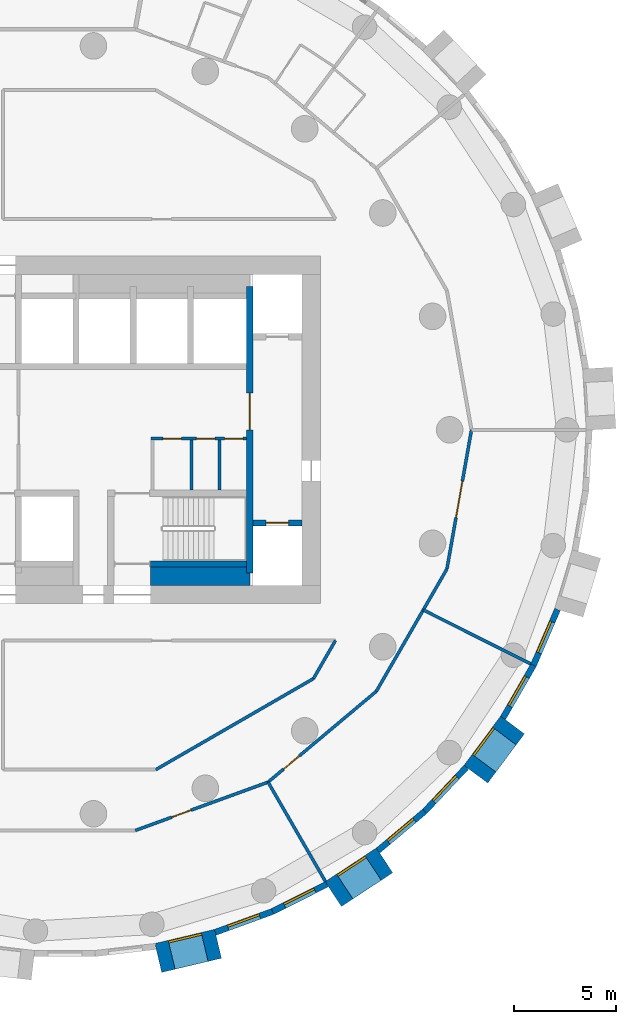
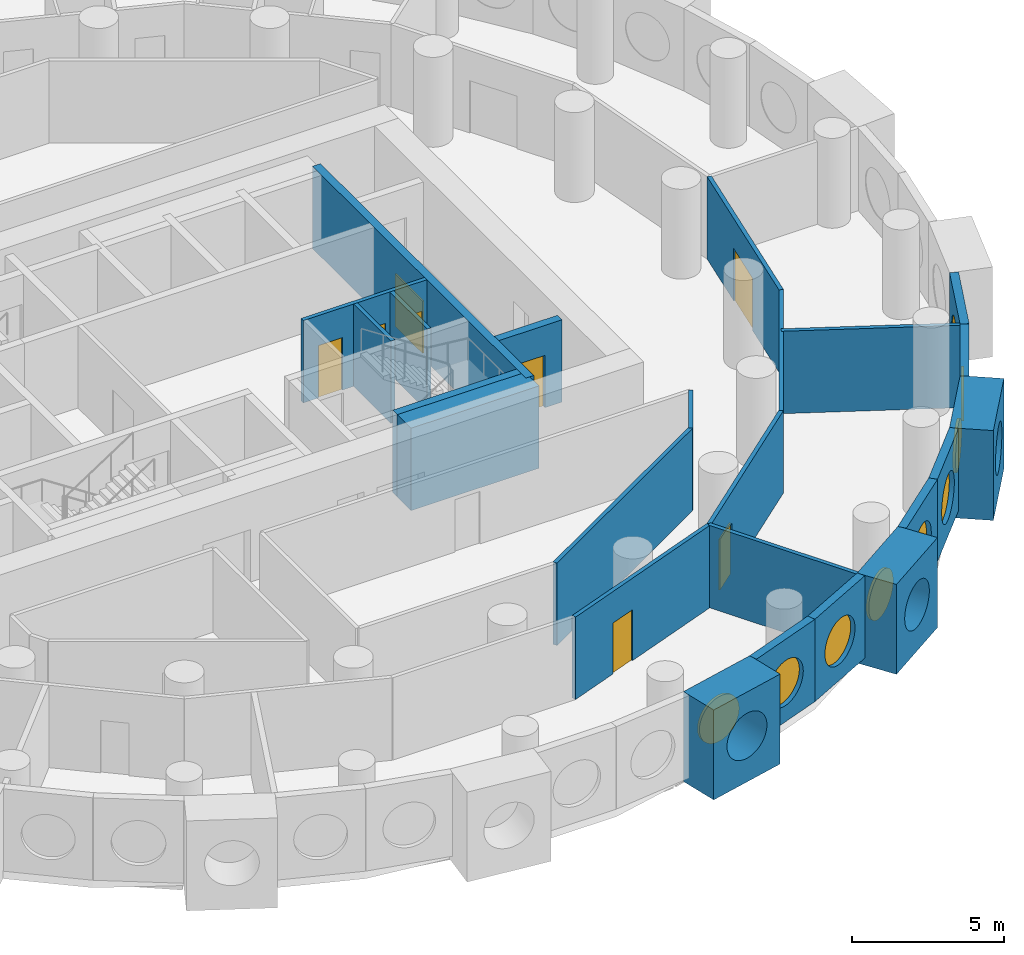
# One storey, part 4 of 9: 24 walls, 9 windows, 8 doors, 17 openings.
"""IFC4 building model written with IfcOpenShell, lengths in metres."""

from ifc_helpers import new_model, si_unit, direction, frame, frame_2d, origin, origin_2d, place, context, subcontext, project, spatial, rectangle, circle, extrude, material, layer, layer_set, type_object, element, fill, save


model = new_model("IFC4")

# Units and contexts
model_context = context("Model", 3, precision=1e-05, world=origin(), true_north=direction((0.0, 1.0)))
body_context = subcontext(model_context, "Body", "Model", "MODEL_VIEW")
ifc_project = project(units=[si_unit("LENGTHUNIT", "METRE"), si_unit("AREAUNIT", "SQUARE_METRE"), si_unit("VOLUMEUNIT", "CUBIC_METRE"), si_unit("PLANEANGLEUNIT", "RADIAN"), si_unit("MASSUNIT", "GRAM", prefix="KILO")], contexts=[model_context])

# Site, building, storey
site_placement = place(None, origin())
site = spatial("IfcSite", under=ifc_project, at=site_placement, CompositionType="ELEMENT")
building_placement = place(site_placement, origin())
building = spatial("IfcBuilding", under=site, at=building_placement, Name="Tracery Tower", CompositionType="ELEMENT")
storey_placement = place(building_placement, frame((0.0, 0.0, 151.199951171875)))
storey = spatial("IfcBuildingStorey", under=building, at=storey_placement, Name="L38", CompositionType="ELEMENT", Elevation=151.199951171875)

# Wall, openings, doors
ifc_material_1 = material(Name="Plasterboard on steel studs", Category="steel")
ifc_layer_1 = layer(ifc_material_1, 0.14990234375)
ifc_layer_set_1 = layer_set([ifc_layer_1], Name="Core room partition 150")
wall_type_1 = type_object("IfcWallType", Name="Core room partition 150", PredefinedType="SOLIDWALL", material=ifc_layer_set_1)
wall_1_placement = place(storey_placement, frame((4.22509765625, -0.425048828125, 0.0), z_axis=(0.0, 0.0, 1.0), x_axis=(1.0, 0.0, 0.0)))
wall_1 = element("IfcWall", 1, at=wall_1_placement, inside=storey, type_object=wall_type_1, Name="L38 slot N", PredefinedType="SOLIDWALL", context=body_context, shape_type="SweptSolid", body=[
    extrude(rectangle(XDim=4.6748046875, YDim=0.14990234375, at=frame_2d((2.33740234375, 0.0))), origin(), (0.0, 0.0, 1.0), 3.300048828125),
])
opening_1_placement = place(wall_1_placement, frame((0.574951171875, 0.0, 0.0)))
opening_1 = element("IfcOpeningElement", 2, at=opening_1_placement, cuts=wall_1, Name="Opening KD22", PredefinedType="OPENING", context=body_context, shape_type="SweptSolid", body=[
    extrude(rectangle(XDim=0.89990234375, YDim=2.10009765625, at=frame_2d((0.449951171875, 1.050048828125))), frame((0.0, 0.074951171875, 0.0), z_axis=(0.0, -1.0, 0.0), x_axis=(1.0, 0.0, 0.0)), (0.0, 0.0, 1.0), 0.14990234375),
])
opening_2_placement = place(wall_1_placement, frame((2.21240234375, 0.0, 0.0)))
opening_2 = element("IfcOpeningElement", 3, at=opening_2_placement, cuts=wall_1, Name="Opening KD26", PredefinedType="OPENING", context=body_context, shape_type="SweptSolid", body=[
    extrude(rectangle(XDim=0.89990234375, YDim=2.10009765625, at=frame_2d((0.449951171875, 1.050048828125))), frame((0.0, 0.074951171875, 0.0), z_axis=(0.0, -1.0, 0.0), x_axis=(1.0, 0.0, 0.0)), (0.0, 0.0, 1.0), 0.14990234375),
])
opening_3_placement = place(wall_1_placement, frame((3.60009765625, 0.0, 0.0)))
opening_3 = element("IfcOpeningElement", 4, at=opening_3_placement, cuts=wall_1, Name="Opening KD27", PredefinedType="OPENING", context=body_context, shape_type="SweptSolid", body=[
    extrude(rectangle(XDim=0.89990234375, YDim=2.10009765625, at=frame_2d((0.449951171875, 1.050048828125))), frame((0.0, 0.074951171875, 0.0), z_axis=(0.0, -1.0, 0.0), x_axis=(1.0, 0.0, 0.0)), (0.0, 0.0, 1.0), 0.14990234375),
])
ifc_material_2 = material(Name="Timber door leaf", Category="wood")
door_type_1 = type_object("IfcDoorType", Name="Core WC door 900", OperationType="NOTDEFINED", PredefinedType="DOOR", material=ifc_material_2)
door_1_placement = place(opening_1_placement, origin())
door_1 = element("IfcDoor", 5, at=door_1_placement, inside=storey, type_object=door_type_1, Name="Core door", OperationType="SINGLE_SWING_RIGHT", OverallHeight=2.10009765625, OverallWidth=0.89990234375, PredefinedType="DOOR", context=body_context, shape_type="SweptSolid", body=[
    extrude(rectangle(XDim=0.89990234375, YDim=2.10009765625, at=frame_2d((0.449951171875, 1.050048828125))), frame((0.0, 0.02490234375, 0.0), z_axis=(0.0, -1.0, 0.0), x_axis=(1.0, 0.0, 0.0)), (0.0, 0.0, 1.0), 0.050048828125),
])
fill(opening_1, door_1)
ifc_material_3 = material(Name="Timber door leaf", Category="wood")
door_type_2 = type_object("IfcDoorType", Name="Core store door 900", OperationType="NOTDEFINED", PredefinedType="DOOR", material=ifc_material_3)
door_2_placement = place(opening_2_placement, origin())
door_2 = element("IfcDoor", 6, at=door_2_placement, inside=storey, type_object=door_type_2, Name="Core door", OperationType="SINGLE_SWING_LEFT", OverallHeight=2.10009765625, OverallWidth=0.89990234375, PredefinedType="DOOR", context=body_context, shape_type="SweptSolid", body=[
    extrude(rectangle(XDim=0.89990234375, YDim=2.10009765625, at=frame_2d((0.449951171875, 1.050048828125))), frame((0.0, 0.02490234375, 0.0), z_axis=(0.0, -1.0, 0.0), x_axis=(1.0, 0.0, 0.0)), (0.0, 0.0, 1.0), 0.050048828125),
])
fill(opening_2, door_2)
door_3_placement = place(opening_3_placement, origin())
door_3 = element("IfcDoor", 7, at=door_3_placement, inside=storey, type_object=door_type_2, Name="Core door", OperationType="SINGLE_SWING_RIGHT", OverallHeight=2.10009765625, OverallWidth=0.89990234375, PredefinedType="DOOR", context=body_context, shape_type="SweptSolid", body=[
    extrude(rectangle(XDim=0.89990234375, YDim=2.10009765625, at=frame_2d((0.449951171875, 1.050048828125))), frame((0.0, 0.02490234375, 0.0), z_axis=(0.0, -1.0, 0.0), x_axis=(1.0, 0.0, 0.0)), (0.0, 0.0, 1.0), 0.050048828125),
])
fill(opening_3, door_3)

# Walls
for number, where, z_axis, x_axis, name in (
    (8, (6.199951171875, -2.949951171875, 0.0), (0.0, 0.0, 1.0), (0.0, 1.0, 0.0), "L38 slot sep 1"),
    (9, (7.574951171875, -2.949951171875, 0.0), (0.0, 0.0, 1.0), (0.0, 1.0, 0.0), "L38 slot sep 2"),
):
    element("IfcWall", number, at=place(storey_placement, frame(where, z_axis=z_axis, x_axis=x_axis)), inside=storey, type_object=wall_type_1, Name=name, PredefinedType="SOLIDWALL", context=body_context, shape_type="SweptSolid", body=[
        extrude(rectangle(XDim=2.449951171875, YDim=0.14990234375, at=frame_2d((1.22509765625, 0.0))), origin(), (0.0, 0.0, 1.0), 3.300048828125),
    ])
ifc_material_4 = material(Name="Concrete C50/60", Category="concrete")
ifc_layer_2 = layer(ifc_material_4, 0.89990234375)
ifc_layer_set_2 = layer_set([ifc_layer_2], Name="Core strip wall 900 C50")
wall_type_2 = type_object("IfcWallType", Name="Core strip wall 900 C50", PredefinedType="SOLIDWALL", material=ifc_layer_set_2)
wall_2_placement = place(storey_placement, frame((4.199951171875, -7.14990234375, 0.0), z_axis=(0.0, 0.0, 1.0), x_axis=(1.0, 0.0, 0.0)))
element("IfcWall", 10, at=wall_2_placement, inside=storey, type_object=wall_type_2, Name="L38 F thick S E", PredefinedType="SOLIDWALL", context=body_context, shape_type="SweptSolid", body=[
    extrude(rectangle(XDim=4.85009765625, YDim=0.89990234375, at=frame_2d((2.425048828125, 0.0))), origin(), (0.0, 0.0, 1.0), 3.300048828125),
])

# Wall, opening, window
ifc_material_5 = material(Name="Precast concrete C50/60", Category="concrete")
ifc_layer_3 = layer(ifc_material_5, 1.449951171875)
ifc_layer_set_3 = layer_set([ifc_layer_3], Name="Deep-set bay unit 3000 x 3600, slab edge 300")
wall_type_3 = type_object("IfcWallType", Name="Deep-set bay unit 3000 x 3600, slab edge 300", PredefinedType="ELEMENTEDWALL", material=ifc_layer_set_3)
wall_3_placement = place(storey_placement, frame((4.57763671875, -25.8193359375, -0.300048828125), z_axis=(0.0, 0.0, 1.0), x_axis=(0.973042333261, 0.23062657627, 0.0)))
wall_3 = element("IfcWall", 11, at=wall_3_placement, inside=storey, type_object=wall_type_3, Name="Deep-set bay unit 43 at L38", PredefinedType="ELEMENTEDWALL", context=body_context, shape_type="SweptSolid", body=[
    extrude(rectangle(XDim=3.0, YDim=1.449951171875, at=frame_2d((1.5, 0.0))), origin(), (0.0, 0.0, 1.0), 3.60009765625),
])
opening_4_placement = place(wall_3_placement, frame((1.5, 0.0, 1.85009765625)))
opening_4 = element("IfcOpeningElement", 12, at=opening_4_placement, cuts=wall_3, Name="Opening WN1", PredefinedType="OPENING", context=body_context, shape_type="SweptSolid", body=[
    extrude(circle(Radius=0.9000244140625, at=origin_2d()), frame((0.0, 0.73486328125, 0.0), z_axis=(0.0, -1.0, 0.0), x_axis=(1.0, 0.0, 0.0)), (0.0, 0.0, 1.0), 1.469970703125),
])
ifc_material_6 = material(Name="Aluminium frame with tinted double glazing", Category="aluminium")
window_type = type_object("IfcWindowType", Name="Round window 1800", PartitioningType="SINGLE_PANEL", PredefinedType="WINDOW", material=ifc_material_6)
window_1_placement = place(opening_4_placement, origin())
window_1 = element("IfcWindow", 13, at=window_1_placement, inside=storey, type_object=window_type, Name="Round window 43 at L38", OverallHeight=1.800048828125, OverallWidth=1.800048828125, PartitioningType="SINGLE_PANEL", PredefinedType="WINDOW", context=body_context, shape_type="SweptSolid", body=[
    extrude(circle(Radius=0.9000244140625, at=origin_2d()), frame((0.0, 0.69482421875, 0.0), z_axis=(0.0, -1.0, 0.0), x_axis=(1.0, 0.0, 0.0)), (0.0, 0.0, 1.0), 0.10009765625),
])
fill(opening_4, window_1)

wall_4_placement = place(storey_placement, frame((13.13232421875, -22.696533203125, -0.300048828125), z_axis=(0.0, 0.0, 1.0), x_axis=(0.835514416706, 0.549468524554, 0.0)))
wall_4 = element("IfcWall", 14, at=wall_4_placement, inside=storey, type_object=wall_type_3, Name="Deep-set bay unit 46 at L38", PredefinedType="ELEMENTEDWALL", context=body_context, shape_type="SweptSolid", body=[
    extrude(rectangle(XDim=3.0, YDim=1.449951171875, at=frame_2d((1.5, 0.0))), origin(), (0.0, 0.0, 1.0), 3.60009765625),
])
opening_5_placement = place(wall_4_placement, frame((1.5, 0.0, 1.85009765625)))
opening_5 = element("IfcOpeningElement", 15, at=opening_5_placement, cuts=wall_4, Name="Opening WN1", PredefinedType="OPENING", context=body_context, shape_type="SweptSolid", body=[
    extrude(circle(Radius=0.9000244140625, at=origin_2d()), frame((0.0, 0.73486328125, 0.0), z_axis=(0.0, -1.0, 0.0), x_axis=(1.0, 0.0, 0.0)), (0.0, 0.0, 1.0), 1.469970703125),
])
window_2_placement = place(opening_5_placement, origin())
window_2 = element("IfcWindow", 16, at=window_2_placement, inside=storey, type_object=window_type, Name="Round window 46 at L38", OverallHeight=1.800048828125, OverallWidth=1.800048828125, PartitioningType="SINGLE_PANEL", PredefinedType="WINDOW", context=body_context, shape_type="SweptSolid", body=[
    extrude(circle(Radius=0.9000244140625, at=origin_2d()), frame((0.0, 0.69482421875, 0.0), z_axis=(0.0, -1.0, 0.0), x_axis=(1.0, 0.0, 0.0)), (0.0, 0.0, 1.0), 0.10009765625),
])
fill(opening_5, window_2)

wall_5_placement = place(storey_placement, frame((20.10302734375, -16.836181640625, -0.300048828125), z_axis=(0.0, 0.0, 1.0), x_axis=(0.597183717734, 0.802104486506, 0.0)))
wall_5 = element("IfcWall", 17, at=wall_5_placement, inside=storey, type_object=wall_type_3, Name="Deep-set bay unit 49 at L38", PredefinedType="ELEMENTEDWALL", context=body_context, shape_type="SweptSolid", body=[
    extrude(rectangle(XDim=3.0, YDim=1.449951171875, at=frame_2d((1.5, 0.0))), origin(), (0.0, 0.0, 1.0), 3.60009765625),
])
opening_6_placement = place(wall_5_placement, frame((1.5, 0.0, 1.85009765625)))
opening_6 = element("IfcOpeningElement", 18, at=opening_6_placement, cuts=wall_5, Name="Opening WN1", PredefinedType="OPENING", context=body_context, shape_type="SweptSolid", body=[
    extrude(circle(Radius=0.9000244140625, at=origin_2d()), frame((0.0, 0.73486328125, 0.0), z_axis=(0.0, -1.0, 0.0), x_axis=(1.0, 0.0, 0.0)), (0.0, 0.0, 1.0), 1.469970703125),
])
window_3_placement = place(opening_6_placement, origin())
window_3 = element("IfcWindow", 19, at=window_3_placement, inside=storey, type_object=window_type, Name="Round window 49 at L38", OverallHeight=1.800048828125, OverallWidth=1.800048828125, PartitioningType="SINGLE_PANEL", PredefinedType="WINDOW", context=body_context, shape_type="SweptSolid", body=[
    extrude(circle(Radius=0.9000244140625, at=origin_2d()), frame((0.0, 0.69482421875, 0.0), z_axis=(0.0, -1.0, 0.0), x_axis=(1.0, 0.0, 0.0)), (0.0, 0.0, 1.0), 0.10009765625),
])
fill(opening_6, window_3)

ifc_material_7 = material(Name="Precast concrete C50/60", Category="concrete")
ifc_layer_4 = layer(ifc_material_7, 0.300048828125)
ifc_layer_set_4 = layer_set([ifc_layer_4], Name="Facade panel 3000 x 3300")
wall_type_4 = type_object("IfcWallType", Name="Facade panel 3000 x 3300", PredefinedType="SOLIDWALL", material=ifc_layer_set_4)
wall_6_placement = place(storey_placement, frame((7.36474609375, -24.566650390625, 0.0), z_axis=(0.0, 0.0, 1.0), x_axis=(0.939690282133, 0.342026568652, 0.0)))
wall_6 = element("IfcWall", 20, at=wall_6_placement, inside=storey, type_object=wall_type_4, Name="Facade panel 44 at L38", PredefinedType="SOLIDWALL", context=body_context, shape_type="SweptSolid", body=[
    extrude(rectangle(XDim=2.972900390625, YDim=0.300048828125, at=frame_2d((1.486328125, 0.0))), origin(), (0.0, 0.0, 1.0), 3.300048828125),
])
opening_7_placement = place(wall_6_placement, frame((1.486328125, 0.0, 1.5498046875)))
opening_7 = element("IfcOpeningElement", 21, at=opening_7_placement, cuts=wall_6, Name="Opening WN1", PredefinedType="OPENING", context=body_context, shape_type="SweptSolid", body=[
    extrude(circle(Radius=0.9000244140625, at=origin_2d()), frame((0.0, 0.159912109375, 0.0), z_axis=(0.0, -1.0, 0.0), x_axis=(1.0, 0.0, 0.0)), (0.0, 0.0, 1.0), 0.320068359375),
])
window_4_placement = place(opening_7_placement, origin())
window_4 = element("IfcWindow", 22, at=window_4_placement, inside=storey, type_object=window_type, Name="Round window 44 at L38", OverallHeight=1.800048828125, OverallWidth=1.800048828125, PartitioningType="SINGLE_PANEL", PredefinedType="WINDOW", context=body_context, shape_type="SweptSolid", body=[
    extrude(circle(Radius=0.9000244140625, at=origin_2d()), frame((0.0, 0.1201171875, 0.0), z_axis=(0.0, -1.0, 0.0), x_axis=(1.0, 0.0, 0.0)), (0.0, 0.0, 1.0), 0.10009765625),
])
fill(opening_7, window_4)

wall_7_placement = place(storey_placement, frame((10.158447265625, -23.5498046875, 0.0), z_axis=(0.0, 0.0, 1.0), x_axis=(0.893637442555, 0.448789618045, 0.0)))
wall_7 = element("IfcWall", 23, at=wall_7_placement, inside=storey, type_object=wall_type_4, Name="Facade panel 45 at L38", PredefinedType="SOLIDWALL", context=body_context, shape_type="SweptSolid", body=[
    extrude(rectangle(XDim=2.972900390625, YDim=0.300048828125, at=frame_2d((1.486328125, 0.0))), origin(), (0.0, 0.0, 1.0), 3.300048828125),
])
opening_8_placement = place(wall_7_placement, frame((1.486328125, 0.0, 1.5498046875)))
opening_8 = element("IfcOpeningElement", 24, at=opening_8_placement, cuts=wall_7, Name="Opening WN1", PredefinedType="OPENING", context=body_context, shape_type="SweptSolid", body=[
    extrude(circle(Radius=0.9000244140625, at=origin_2d()), frame((0.0, 0.159912109375, 0.0), z_axis=(0.0, -1.0, 0.0), x_axis=(1.0, 0.0, 0.0)), (0.0, 0.0, 1.0), 0.320068359375),
])
window_5_placement = place(opening_8_placement, origin())
window_5 = element("IfcWindow", 25, at=window_5_placement, inside=storey, type_object=window_type, Name="Round window 45 at L38", OverallHeight=1.800048828125, OverallWidth=1.800048828125, PartitioningType="SINGLE_PANEL", PredefinedType="WINDOW", context=body_context, shape_type="SweptSolid", body=[
    extrude(circle(Radius=0.9000244140625, at=origin_2d()), frame((0.0, 0.1201171875, 0.0), z_axis=(0.0, -1.0, 0.0), x_axis=(1.0, 0.0, 0.0)), (0.0, 0.0, 1.0), 0.10009765625),
])
fill(opening_8, window_5)

wall_8_placement = place(storey_placement, frame((15.322998046875, -20.566162109375, 0.0), z_axis=(0.0, 0.0, 1.0), x_axis=(0.766049350637, 0.642781761089, 0.0)))
wall_8 = element("IfcWall", 26, at=wall_8_placement, inside=storey, type_object=wall_type_4, Name="Facade panel 47 at L38", PredefinedType="SOLIDWALL", context=body_context, shape_type="SweptSolid", body=[
    extrude(rectangle(XDim=2.972900390625, YDim=0.300048828125, at=frame_2d((1.486328125, 0.0))), origin(), (0.0, 0.0, 1.0), 3.300048828125),
])
opening_9_placement = place(wall_8_placement, frame((1.486328125, 0.0, 1.5498046875)))
opening_9 = element("IfcOpeningElement", 27, at=opening_9_placement, cuts=wall_8, Name="Opening WN1", PredefinedType="OPENING", context=body_context, shape_type="SweptSolid", body=[
    extrude(circle(Radius=0.9000244140625, at=origin_2d()), frame((0.0, 0.159912109375, 0.0), z_axis=(0.0, -1.0, 0.0), x_axis=(1.0, 0.0, 0.0)), (0.0, 0.0, 1.0), 0.320068359375),
])
window_6_placement = place(opening_9_placement, origin())
window_6 = element("IfcWindow", 28, at=window_6_placement, inside=storey, type_object=window_type, Name="Round window 47 at L38", OverallHeight=1.800048828125, OverallWidth=1.800048828125, PartitioningType="SINGLE_PANEL", PredefinedType="WINDOW", context=body_context, shape_type="SweptSolid", body=[
    extrude(circle(Radius=0.9000244140625, at=origin_2d()), frame((0.0, 0.1201171875, 0.0), z_axis=(0.0, -1.0, 0.0), x_axis=(1.0, 0.0, 0.0)), (0.0, 0.0, 1.0), 0.10009765625),
])
fill(opening_9, window_6)

wall_9_placement = place(storey_placement, frame((17.600341796875, -18.6552734375, 0.0), z_axis=(0.0, 0.0, 1.0), x_axis=(0.686235184166, 0.727379730273, 0.0)))
wall_9 = element("IfcWall", 29, at=wall_9_placement, inside=storey, type_object=wall_type_4, Name="Facade panel 48 at L38", PredefinedType="SOLIDWALL", context=body_context, shape_type="SweptSolid", body=[
    extrude(rectangle(XDim=2.972900390625, YDim=0.300048828125, at=frame_2d((1.486328125, 0.0))), origin(), (0.0, 0.0, 1.0), 3.300048828125),
])
opening_10_placement = place(wall_9_placement, frame((1.486328125, 0.0, 1.5498046875)))
opening_10 = element("IfcOpeningElement", 30, at=opening_10_placement, cuts=wall_9, Name="Opening WN1", PredefinedType="OPENING", context=body_context, shape_type="SweptSolid", body=[
    extrude(circle(Radius=0.9000244140625, at=origin_2d()), frame((0.0, 0.159912109375, 0.0), z_axis=(0.0, -1.0, 0.0), x_axis=(1.0, 0.0, 0.0)), (0.0, 0.0, 1.0), 0.320068359375),
])
window_7_placement = place(opening_10_placement, origin())
window_7 = element("IfcWindow", 31, at=window_7_placement, inside=storey, type_object=window_type, Name="Round window 48 at L38", OverallHeight=1.800048828125, OverallWidth=1.800048828125, PartitioningType="SINGLE_PANEL", PredefinedType="WINDOW", context=body_context, shape_type="SweptSolid", body=[
    extrude(circle(Radius=0.9000244140625, at=origin_2d()), frame((0.0, 0.1201171875, 0.0), z_axis=(0.0, -1.0, 0.0), x_axis=(1.0, 0.0, 0.0)), (0.0, 0.0, 1.0), 0.10009765625),
])
fill(opening_10, window_7)

wall_10_placement = place(storey_placement, frame((21.432861328125, -14.085205078125, 0.0), z_axis=(0.0, 0.0, 1.0), x_axis=(0.500016263033, 0.866016014115, 0.0)))
wall_10 = element("IfcWall", 32, at=wall_10_placement, inside=storey, type_object=wall_type_4, Name="Facade panel 50 at L38", PredefinedType="SOLIDWALL", context=body_context, shape_type="SweptSolid", body=[
    extrude(rectangle(XDim=2.97314453125, YDim=0.300048828125, at=frame_2d((1.486572265625, 0.0))), origin(), (0.0, 0.0, 1.0), 3.300048828125),
])
opening_11_placement = place(wall_10_placement, frame((1.486328125, 0.0, 1.5498046875)))
opening_11 = element("IfcOpeningElement", 33, at=opening_11_placement, cuts=wall_10, Name="Opening WN1", PredefinedType="OPENING", context=body_context, shape_type="SweptSolid", body=[
    extrude(circle(Radius=0.9000244140625, at=origin_2d()), frame((0.0, 0.159912109375, 0.0), z_axis=(0.0, -1.0, 0.0), x_axis=(1.0, 0.0, 0.0)), (0.0, 0.0, 1.0), 0.320068359375),
])
window_8_placement = place(opening_11_placement, origin())
window_8 = element("IfcWindow", 34, at=window_8_placement, inside=storey, type_object=window_type, Name="Round window 50 at L38", OverallHeight=1.800048828125, OverallWidth=1.800048828125, PartitioningType="SINGLE_PANEL", PredefinedType="WINDOW", context=body_context, shape_type="SweptSolid", body=[
    extrude(circle(Radius=0.9000244140625, at=origin_2d()), frame((0.0, 0.1201171875, 0.0), z_axis=(0.0, -1.0, 0.0), x_axis=(1.0, 0.0, 0.0)), (0.0, 0.0, 1.0), 0.10009765625),
])
fill(opening_11, window_8)

wall_11_placement = place(storey_placement, frame((22.91943359375, -11.510498046875, 0.0), z_axis=(0.0, 0.0, 1.0), x_axis=(0.396078892785, 0.918216483565, 0.0)))
wall_11 = element("IfcWall", 35, at=wall_11_placement, inside=storey, type_object=wall_type_4, Name="Facade panel 51 at L38", PredefinedType="SOLIDWALL", context=body_context, shape_type="SweptSolid", body=[
    extrude(rectangle(XDim=2.972900390625, YDim=0.300048828125, at=frame_2d((1.486328125, 0.0))), origin(), (0.0, 0.0, 1.0), 3.300048828125),
])
opening_12_placement = place(wall_11_placement, frame((1.486328125, 0.0, 1.5498046875)))
opening_12 = element("IfcOpeningElement", 36, at=opening_12_placement, cuts=wall_11, Name="Opening WN1", PredefinedType="OPENING", context=body_context, shape_type="SweptSolid", body=[
    extrude(circle(Radius=0.9000244140625, at=origin_2d()), frame((0.0, 0.159912109375, 0.0), z_axis=(0.0, -1.0, 0.0), x_axis=(1.0, 0.0, 0.0)), (0.0, 0.0, 1.0), 0.320068359375),
])
window_9_placement = place(opening_12_placement, origin())
window_9 = element("IfcWindow", 37, at=window_9_placement, inside=storey, type_object=window_type, Name="Round window 51 at L38", OverallHeight=1.800048828125, OverallWidth=1.800048828125, PartitioningType="SINGLE_PANEL", PredefinedType="WINDOW", context=body_context, shape_type="SweptSolid", body=[
    extrude(circle(Radius=0.9000244140625, at=origin_2d()), frame((0.0, 0.1201171875, 0.0), z_axis=(0.0, -1.0, 0.0), x_axis=(1.0, 0.0, 0.0)), (0.0, 0.0, 1.0), 0.10009765625),
])
fill(opening_12, window_9)

# Walls
ifc_material_8 = material(Name="Plasterboard on steel studs", Category="steel")
ifc_layer_5 = layer(ifc_material_8, 0.14990234375)
ifc_layer_set_5 = layer_set([ifc_layer_5], Name="Partition 150 acoustic unit wall")
wall_type_5 = type_object("IfcWallType", Name="Partition 150 acoustic unit wall", PredefinedType="PARTITIONING", material=ifc_layer_set_5)
wall_12_placement = place(storey_placement, frame((9.944091796875, -17.222900390625, 0.0), z_axis=(0.0, 0.0, 1.0), x_axis=(0.500010020406, -0.866019618423, 0.0)))
element("IfcWall", 38, at=wall_12_placement, inside=storey, type_object=wall_type_5, Name="Unit wall RB3-056", PredefinedType="PARTITIONING", context=body_context, shape_type="SweptSolid", body=[
    extrude(rectangle(XDim=5.60986328125, YDim=0.14990234375, at=frame_2d((2.804931640625, 0.0))), origin(), (0.0, 0.0, 1.0), 3.300048828125),
])
wall_13_placement = place(storey_placement, frame((17.531982421875, -8.804931640625, 0.0), z_axis=(0.0, 0.0, 1.0), x_axis=(0.893628331628, -0.448807759415, 0.0)))
element("IfcWall", 39, at=wall_13_placement, inside=storey, type_object=wall_type_5, Name="Unit wall RB3-057", PredefinedType="PARTITIONING", context=body_context, shape_type="SweptSolid", body=[
    extrude(rectangle(XDim=5.878173828125, YDim=0.14990234375, at=frame_2d((2.93896484375, 0.0))), origin(), (0.0, 0.0, 1.0), 3.300048828125),
])
ifc_material_9 = material(Name="Plasterboard on steel studs", Category="steel")
ifc_layer_6 = layer(ifc_material_9, 0.14990234375)
ifc_layer_set_6 = layer_set([ifc_layer_6], Name="Partition 150 corridor wall")
wall_type_6 = type_object("IfcWallType", Name="Partition 150 corridor wall", PredefinedType="PARTITIONING", material=ifc_layer_set_6)
wall_14_placement = place(storey_placement, frame((12.162109375, -12.162109375, 0.0), z_axis=(0.0, 0.0, 1.0), x_axis=(0.499961633463, 0.866047553582, 0.0)))
element("IfcWall", 40, at=wall_14_placement, inside=storey, type_object=wall_type_6, Name="Corridor wall RB3-006", PredefinedType="PARTITIONING", context=body_context, shape_type="SweptSolid", body=[
    extrude(rectangle(XDim=2.150146484375, YDim=0.14990234375, at=frame_2d((1.0751953125, 0.0))), origin(), (0.0, 0.0, 1.0), 3.300048828125),
])
wall_15_placement = place(storey_placement, frame((15.235107421875, -12.783935546875, 0.0), z_axis=(0.0, 0.0, 1.0), x_axis=(0.499914202267, 0.866074933462, 0.0)))
element("IfcWall", 41, at=wall_15_placement, inside=storey, type_object=wall_type_6, Name="Corridor wall RB3-010", PredefinedType="PARTITIONING", context=body_context, shape_type="SweptSolid", body=[
    extrude(rectangle(XDim=6.906982421875, YDim=0.14990234375, at=frame_2d((3.45361328125, 0.0))), origin(), (0.0, 0.0, 1.0), 3.300048828125),
])

# Wall, opening, door
wall_16_placement = place(storey_placement, frame((9.943359375, -17.22216796875, 0.0), z_axis=(0.0, 0.0, 1.0), x_axis=(0.766192104565, 0.642611592567, 0.0)))
wall_16 = element("IfcWall", 42, at=wall_16_placement, inside=storey, type_object=wall_type_6, Name="Corridor wall RB3-011", PredefinedType="PARTITIONING", context=body_context, shape_type="SweptSolid", body=[
    extrude(rectangle(XDim=6.906494140625, YDim=0.14990234375, at=frame_2d((3.453125, 0.0))), origin(), (0.0, 0.0, 1.0), 3.300048828125),
])
opening_13_placement = place(wall_16_placement, frame((0.983642578125, 0.0, 0.0)))
opening_13 = element("IfcOpeningElement", 43, at=opening_13_placement, cuts=wall_16, Name="Opening RB3-18", PredefinedType="OPENING", context=body_context, shape_type="SweptSolid", body=[
    extrude(rectangle(XDim=1.0, YDim=2.0400390625, at=frame_2d((0.5, 1.02001953125))), frame((0.0, 0.074951171875, 0.0), z_axis=(0.0, -1.0, 0.0), x_axis=(1.0, 0.0, 0.0)), (0.0, 0.0, 1.0), 0.14990234375),
])
ifc_material_10 = material(Name="Timber door leaf", Category="wood")
door_type_3 = type_object("IfcDoorType", Name="Door communal room 1000", OperationType="NOTDEFINED", PredefinedType="DOOR", material=ifc_material_10)
door_4_placement = place(opening_13_placement, origin())
door_4 = element("IfcDoor", 44, at=door_4_placement, inside=storey, type_object=door_type_3, Name="Communal room door RB3-18", OperationType="SINGLE_SWING_RIGHT", OverallHeight=2.0400390625, OverallWidth=1.0, PredefinedType="DOOR", context=body_context, shape_type="SweptSolid", body=[
    extrude(rectangle(XDim=1.0, YDim=2.0400390625, at=frame_2d((0.5, 1.02001953125))), frame((0.0, 0.02490234375, 0.0), z_axis=(0.0, -1.0, 0.0), x_axis=(1.0, 0.0, 0.0)), (0.0, 0.0, 1.0), 0.050048828125),
])
fill(opening_13, door_4)

wall_17_placement = place(storey_placement, frame((18.68798828125, -6.802001953125, 0.0), z_axis=(0.0, 0.0, 1.0), x_axis=(0.173728873845, 0.98479352069, 0.0)))
wall_17 = element("IfcWall", 45, at=wall_17_placement, inside=storey, type_object=wall_type_6, Name="Corridor wall RB3-012", PredefinedType="PARTITIONING", context=body_context, shape_type="SweptSolid", body=[
    extrude(rectangle(XDim=6.906982421875, YDim=0.14990234375, at=frame_2d((3.45361328125, 0.0))), origin(), (0.0, 0.0, 1.0), 3.300048828125),
])
opening_14_placement = place(wall_17_placement, frame((2.552978515625, 0.0, 0.0)))
opening_14 = element("IfcOpeningElement", 46, at=opening_14_placement, cuts=wall_17, Name="Opening RB3-19", PredefinedType="OPENING", context=body_context, shape_type="SweptSolid", body=[
    extrude(rectangle(XDim=1.800048828125, YDim=2.10009765625, at=frame_2d((0.89990234375, 1.050048828125))), frame((0.0, 0.074951171875, 0.0), z_axis=(0.0, -1.0, 0.0), x_axis=(1.0, 0.0, 0.0)), (0.0, 0.0, 1.0), 0.14990234375),
])
ifc_material_11 = material(Name="Timber door leaf", Category="wood")
door_type_4 = type_object("IfcDoorType", Name="Door double lounge 1800", OperationType="NOTDEFINED", PredefinedType="DOOR", material=ifc_material_11)
door_5_placement = place(opening_14_placement, origin())
door_5 = element("IfcDoor", 47, at=door_5_placement, inside=storey, type_object=door_type_4, Name="Double lounge door RB3-19", OperationType="DOUBLE_DOOR_SINGLE_SWING", OverallHeight=2.10009765625, OverallWidth=1.800048828125, PredefinedType="DOOR", context=body_context, shape_type="SweptSolid", body=[
    extrude(rectangle(XDim=1.800048828125, YDim=2.10009765625, at=frame_2d((0.89990234375, 1.050048828125))), frame((0.0, 0.02490234375, 0.0), z_axis=(0.0, -1.0, 0.0), x_axis=(1.0, 0.0, 0.0)), (0.0, 0.0, 1.0), 0.050048828125),
])
fill(opening_14, door_5)

# Wall
wall_18_placement = place(storey_placement, frame((4.451904296875, -16.614013671875, 0.0), z_axis=(0.0, 0.0, 1.0), x_axis=(0.866005203721, 0.500034985904, 0.0)))
element("IfcWall", 48, at=wall_18_placement, inside=storey, type_object=wall_type_6, Name="Corridor wall RB3-035", PredefinedType="PARTITIONING", context=body_context, shape_type="SweptSolid", body=[
    extrude(rectangle(XDim=8.903076171875, YDim=0.14990234375, at=frame_2d((4.45166015625, 0.0))), origin(), (0.0, 0.0, 1.0), 3.300048828125),
])

# Wall, opening, door
wall_19_placement = place(storey_placement, frame((3.452880859375, -19.5859375, 0.0), z_axis=(0.0, 0.0, 1.0), x_axis=(0.939672634566, 0.342075050021, 0.0)))
wall_19 = element("IfcWall", 49, at=wall_19_placement, inside=storey, type_object=wall_type_6, Name="Corridor wall RB3-037", PredefinedType="PARTITIONING", context=body_context, shape_type="SweptSolid", body=[
    extrude(rectangle(XDim=6.907958984375, YDim=0.14990234375, at=frame_2d((3.4541015625, 0.0))), origin(), (0.0, 0.0, 1.0), 3.300048828125),
])
opening_15_placement = place(wall_19_placement, frame((1.90380859375, 0.0, 0.0)))
opening_15 = element("IfcOpeningElement", 50, at=opening_15_placement, cuts=wall_19, Name="Opening RB3-17", PredefinedType="OPENING", context=body_context, shape_type="SweptSolid", body=[
    extrude(rectangle(XDim=1.0, YDim=2.0400390625, at=frame_2d((0.5, 1.02001953125))), frame((0.0, 0.074951171875, 0.0), z_axis=(0.0, -1.0, 0.0), x_axis=(1.0, 0.0, 0.0)), (0.0, 0.0, 1.0), 0.14990234375),
])
door_6_placement = place(opening_15_placement, origin())
door_6 = element("IfcDoor", 51, at=door_6_placement, inside=storey, type_object=door_type_3, Name="Communal room door RB3-17", OperationType="SINGLE_SWING_RIGHT", OverallHeight=2.0400390625, OverallWidth=1.0, PredefinedType="DOOR", context=body_context, shape_type="SweptSolid", body=[
    extrude(rectangle(XDim=1.0, YDim=2.0400390625, at=frame_2d((0.5, 1.02001953125))), frame((0.0, 0.02490234375, 0.0), z_axis=(0.0, -1.0, 0.0), x_axis=(1.0, 0.0, 0.0)), (0.0, 0.0, 1.0), 0.050048828125),
])
fill(opening_15, door_6)

ifc_material_12 = material(Name="Concrete C50/60", Category="concrete")
ifc_layer_7 = layer(ifc_material_12, 0.300048828125)
ifc_layer_set_7 = layer_set([ifc_layer_7], Name="Shaft wall 300 C50")
wall_type_7 = type_object("IfcWallType", Name="Shaft wall 300 C50", PredefinedType="SOLIDWALL", material=ifc_layer_set_7)
wall_20_placement = place(storey_placement, frame((9.199951171875, -4.550048828125, 0.0), z_axis=(0.0, 0.0, 1.0), x_axis=(1.0, 0.0, 0.0)))
wall_20 = element("IfcWall", 52, at=wall_20_placement, inside=storey, type_object=wall_type_7, Name="L38 MR E -4.55", PredefinedType="SOLIDWALL", context=body_context, shape_type="SweptSolid", body=[
    extrude(rectangle(XDim=2.400146484375, YDim=0.300048828125, at=frame_2d((1.2001953125, 0.0))), origin(), (0.0, 0.0, 1.0), 3.300048828125),
])
opening_16_placement = place(wall_20_placement, frame((0.64990234375, 0.0, 0.0)))
opening_16 = element("IfcOpeningElement", 53, at=opening_16_placement, cuts=wall_20, Name="Opening KD50", PredefinedType="OPENING", context=body_context, shape_type="SweptSolid", body=[
    extrude(rectangle(XDim=1.10009765625, YDim=2.10009765625, at=frame_2d((0.550048828125, 1.050048828125))), frame((0.0, 0.14990234375, 0.0), z_axis=(0.0, -1.0, 0.0), x_axis=(1.0, 0.0, 0.0)), (0.0, 0.0, 1.0), 0.300048828125),
])
ifc_material_13 = material(Name="Steel fire door", Category="steel")
door_type_5 = type_object("IfcDoorType", Name="Landing door 1100", OperationType="NOTDEFINED", PredefinedType="DOOR", material=ifc_material_13)
door_7_placement = place(opening_16_placement, origin())
door_7 = element("IfcDoor", 54, at=door_7_placement, inside=storey, type_object=door_type_5, Name="Landing door MR3", OperationType="SLIDING_TO_RIGHT", OverallHeight=2.10009765625, OverallWidth=1.10009765625, PredefinedType="DOOR", context=body_context, shape_type="SweptSolid", body=[
    extrude(rectangle(XDim=1.10009765625, YDim=2.10009765625, at=frame_2d((0.550048828125, 1.050048828125))), frame((0.0, 0.02490234375, 0.0), z_axis=(0.0, -1.0, 0.0), x_axis=(1.0, 0.0, 0.0)), (0.0, 0.0, 1.0), 0.050048828125),
])
fill(opening_16, door_7)

ifc_material_14 = material(Name="Concrete C50/60", Category="concrete")
ifc_layer_8 = layer(ifc_material_14, 0.300048828125)
ifc_layer_set_8 = layer_set([ifc_layer_8], Name="Stair wall 300 C50")
wall_type_8 = type_object("IfcWallType", Name="Stair wall 300 C50", PredefinedType="SOLIDWALL", material=ifc_layer_set_8)
wall_21_placement = place(storey_placement, frame((9.050048828125, -7.0, 0.0), z_axis=(0.0, 0.0, 1.0), x_axis=(0.0, 1.0, 0.0)))
wall_21 = element("IfcWall", 55, at=wall_21_placement, inside=storey, type_object=wall_type_8, Name="L38 F wall +9", PredefinedType="SOLIDWALL", context=body_context, shape_type="SweptSolid", body=[
    extrude(rectangle(XDim=14.0, YDim=0.300048828125, at=frame_2d((7.0, 0.0))), origin(), (0.0, 0.0, 1.0), 3.300048828125),
])
opening_17_placement = place(wall_21_placement, frame((7.0, 0.0, 0.0)))
opening_17 = element("IfcOpeningElement", 56, at=opening_17_placement, cuts=wall_21, Name="Opening KD13", PredefinedType="OPENING", context=body_context, shape_type="SweptSolid", body=[
    extrude(rectangle(XDim=1.800048828125, YDim=2.10009765625, at=frame_2d((0.89990234375, 1.050048828125))), frame((0.0, 0.14990234375, 0.0), z_axis=(0.0, -1.0, 0.0), x_axis=(1.0, 0.0, 0.0)), (0.0, 0.0, 1.0), 0.300048828125),
])
ifc_material_15 = material(Name="Steel fire door", Category="steel")
door_type_6 = type_object("IfcDoorType", Name="Core exit door 1800 double", OperationType="NOTDEFINED", PredefinedType="DOOR", material=ifc_material_15)
door_8_placement = place(opening_17_placement, origin())
door_8 = element("IfcDoor", 57, at=door_8_placement, inside=storey, type_object=door_type_6, Name="Core exit door", OperationType="DOUBLE_DOOR_SINGLE_SWING", OverallHeight=2.10009765625, OverallWidth=1.800048828125, PredefinedType="DOOR", context=body_context, shape_type="SweptSolid", body=[
    extrude(rectangle(XDim=1.800048828125, YDim=2.10009765625, at=frame_2d((0.89990234375, 1.050048828125))), frame((0.0, 0.02490234375, 0.0), z_axis=(0.0, -1.0, 0.0), x_axis=(1.0, 0.0, 0.0)), (0.0, 0.0, 1.0), 0.050048828125),
])
fill(opening_17, door_8)

# Wall
wall_22_placement = place(storey_placement, frame((4.199951171875, -6.550048828125, 0.0), z_axis=(0.0, 0.0, 1.0), x_axis=(1.0, 0.0, 0.0)))
element("IfcWall", 58, at=wall_22_placement, inside=storey, type_object=wall_type_8, Name="L38 F stair strip S E", PredefinedType="SOLIDWALL", context=body_context, shape_type="SweptSolid", body=[
    extrude(rectangle(XDim=4.699951171875, YDim=0.300048828125, at=frame_2d((2.35009765625, 0.0))), origin(), (0.0, 0.0, 1.0), 3.300048828125),
])

save(model, "model.ifc")
